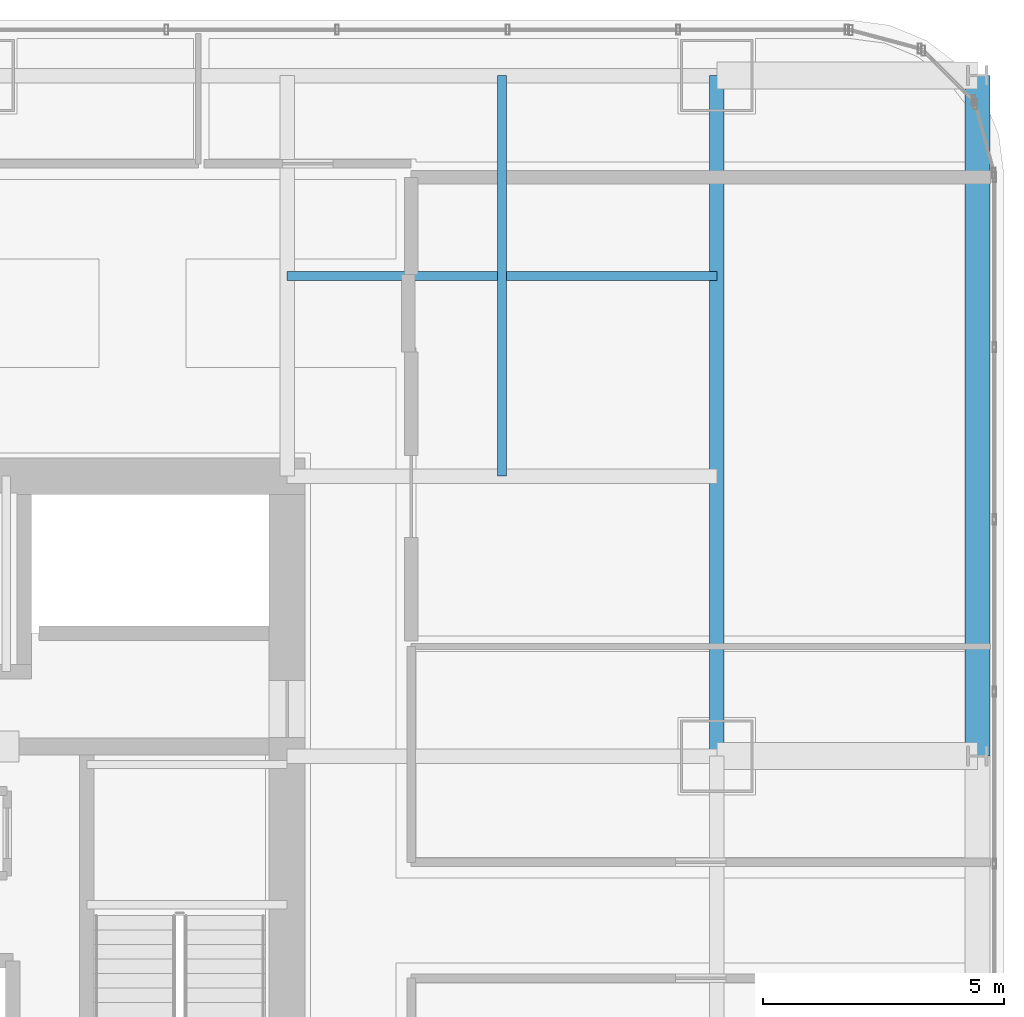
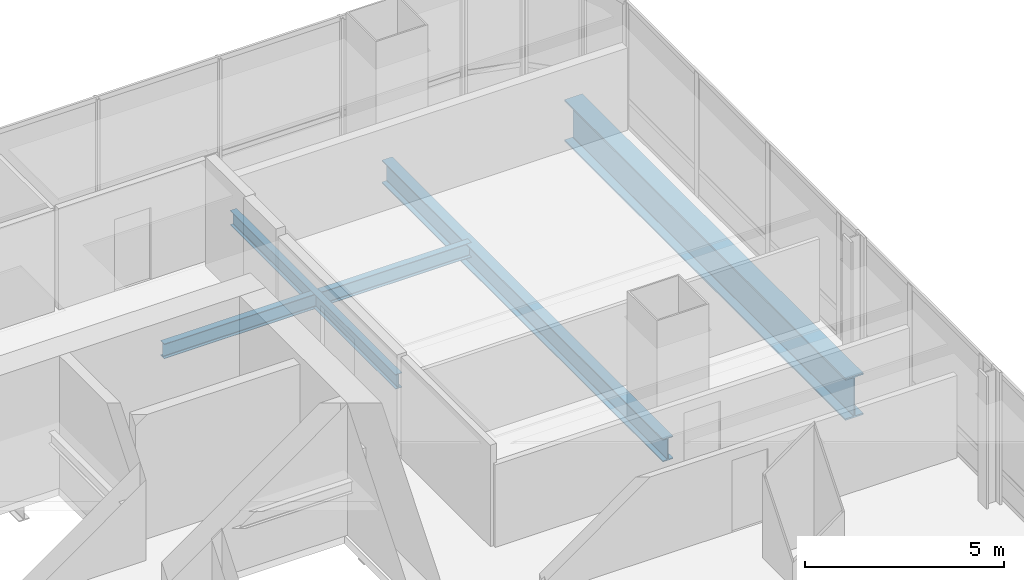
# One storey, part 23 of 34: 4 beams.
"""IFC4 building model written with IfcOpenShell, lengths in metres."""

from ifc_helpers import new_model, si_unit, direction, frame, origin, origin_2d, place, context, subcontext, project, spatial, i_section, extrude, material, material_profile, profile_set, type_object, element, save


model = new_model("IFC4")

# Units and contexts
model_context = context("Model", 3, precision=1e-05, world=origin(), true_north=direction((0.0, 1.0)))
body_context = subcontext(model_context, "Body", "Model", "MODEL_VIEW")
ifc_project = project(units=[si_unit("LENGTHUNIT", "METRE"), si_unit("AREAUNIT", "SQUARE_METRE"), si_unit("VOLUMEUNIT", "CUBIC_METRE"), si_unit("PLANEANGLEUNIT", "RADIAN"), si_unit("MASSUNIT", "GRAM", prefix="KILO")], contexts=[model_context])

# Site, building, storey
site_placement = place(None, origin())
site = spatial("IfcSite", under=ifc_project, at=site_placement, CompositionType="ELEMENT")
building_placement = place(site_placement, origin())
building = spatial("IfcBuilding", under=site, at=building_placement, Name="Punatoya Terracotta Tower", CompositionType="ELEMENT")
storey_placement = place(building_placement, frame((0.0, 0.0, 80.85009765625)))
storey = spatial("IfcBuildingStorey", under=building, at=storey_placement, Name="L18", CompositionType="ELEMENT", Elevation=80.85009765625)

# Beams
ifc_material_1 = material(Name="Steel S355", Category="steel")
ifc_material_profile_1 = material_profile(ifc_material_1, i_section(OverallWidth=0.300048828125, OverallDepth=0.699951171875, WebThickness=0.01708984375, FlangeThickness=0.031982421875, FilletRadius=0.01806640625, at=origin_2d()))
ifc_profile_set_1 = profile_set([ifc_material_profile_1], Name="Steel S355")
beam_type_1 = type_object("IfcBeamType", Name="BM-PRI-700", PredefinedType="BEAM", material=ifc_profile_set_1)
beam_1_placement = place(storey_placement, frame((19.10009765625, 3.39990234375, -0.590087890625), z_axis=(0.0, 1.0, 0.0), x_axis=(-1.0, 0.0, 0.0)))
element("IfcBeam", 1, at=beam_1_placement, inside=storey, type_object=beam_type_1, Name="BM-L18-RG-E3", PredefinedType="BEAM", context=body_context, shape_type="SweptSolid", body=[
    extrude(i_section(OverallWidth=0.300048828125, OverallDepth=0.699951171875, WebThickness=0.01708984375, FlangeThickness=0.031982421875, FilletRadius=0.01806640625, at=origin_2d()), origin(), (0.0, 0.0, 1.0), 14.10009765625),
])
ifc_material_profile_2 = material_profile(ifc_material_1, i_section(OverallWidth=0.18994140625, OverallDepth=0.449951171875, WebThickness=0.009521484375, FlangeThickness=0.0146484375, FilletRadius=0.01806640625, at=origin_2d()))
ifc_profile_set_2 = profile_set([ifc_material_profile_2], Name="Steel S355")
beam_type_2 = type_object("IfcBeamType", Name="BM-SEC-450", PredefinedType="JOIST", material=ifc_profile_set_2)
beam_2_placement = place(storey_placement, frame((10.199951171875, 13.35009765625, -0.465087890625), z_axis=(1.0, 0.0, 0.0), x_axis=(0.0, 1.0, 0.0)))
element("IfcBeam", 2, at=beam_2_placement, inside=storey, type_object=beam_type_2, Name="BM-L18-SJN-2", PredefinedType="JOIST", context=body_context, shape_type="SweptSolid", body=[
    extrude(i_section(OverallWidth=0.18994140625, OverallDepth=0.449951171875, WebThickness=0.009521484375, FlangeThickness=0.0146484375, FilletRadius=0.01806640625, at=origin_2d()), origin(), (0.0, 0.0, 1.0), 8.900146484375),
])
beam_3_placement = place(storey_placement, frame((14.64990234375, 9.199951171875, -0.465087890625), z_axis=(0.0, 1.0, 0.0), x_axis=(-1.0, 0.0, 0.0)))
element("IfcBeam", 3, at=beam_3_placement, inside=storey, type_object=beam_type_2, Name="BM-L18-SJE-2", PredefinedType="JOIST", context=body_context, shape_type="SweptSolid", body=[
    extrude(i_section(OverallWidth=0.18994140625, OverallDepth=0.449951171875, WebThickness=0.009521484375, FlangeThickness=0.0146484375, FilletRadius=0.01806640625, at=origin_2d()), origin(), (0.0, 0.0, 1.0), 8.300048828125),
])
ifc_material_2 = material(Name="Steel S460", Category="steel")
ifc_material_profile_3 = material_profile(ifc_material_2, i_section(OverallWidth=0.52001953125, OverallDepth=1.280029296875, WebThickness=0.031982421875, FlangeThickness=0.050048828125, FilletRadius=0.01806640625, at=origin_2d()))
ifc_profile_set_3 = profile_set([ifc_material_profile_3], Name="Steel S460")
beam_type_3 = type_object("IfcBeamType", Name="BM-TG-NCK", PredefinedType="BEAM", material=ifc_profile_set_3)
beam_4_placement = place(storey_placement, frame((24.5, 3.39990234375, -0.880126953125), z_axis=(0.0, 1.0, 0.0), x_axis=(-1.0, 0.0, 0.0)))
element("IfcBeam", 4, at=beam_4_placement, inside=storey, type_object=beam_type_3, Name="BM-L18-PER-E3", PredefinedType="BEAM", context=body_context, shape_type="SweptSolid", body=[
    extrude(i_section(OverallWidth=0.52001953125, OverallDepth=1.280029296875, WebThickness=0.031982421875, FlangeThickness=0.050048828125, FilletRadius=0.01806640625, at=origin_2d()), origin(), (0.0, 0.0, 1.0), 14.10009765625),
])

save(model, "model.ifc")
